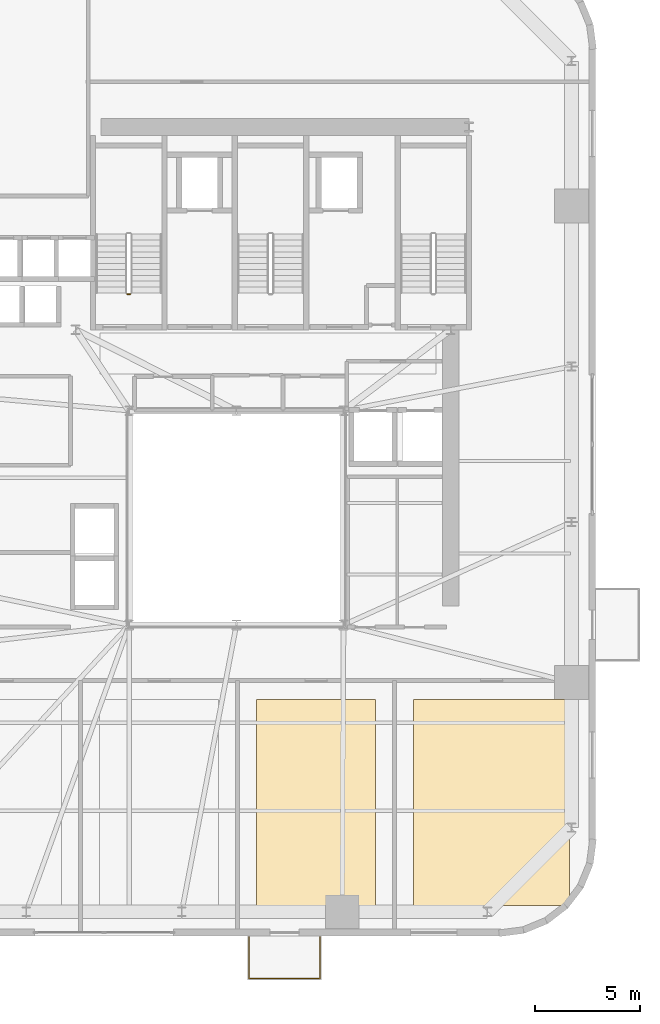
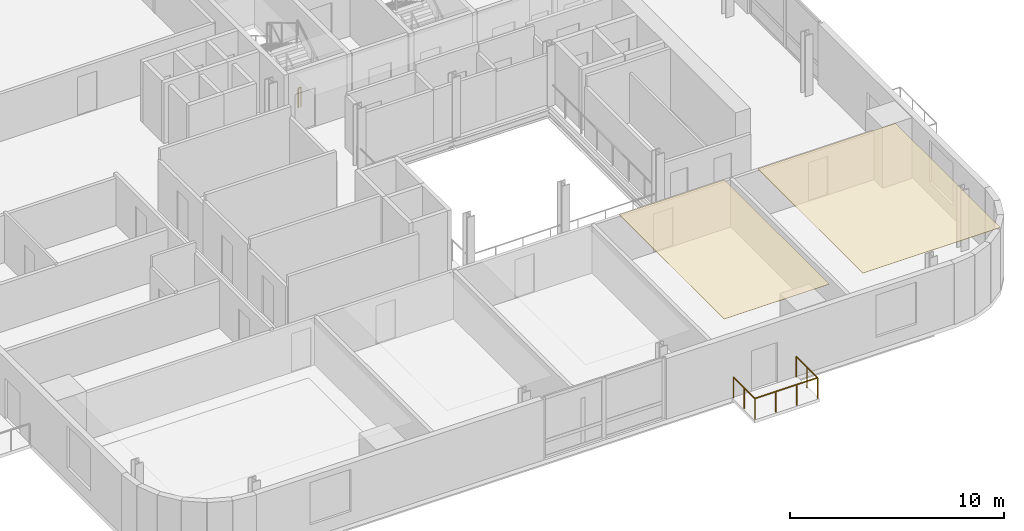
# One storey, part 11 of 13: 2 coverings, 2 railings.
"""IFC4 building model written with IfcOpenShell, lengths in metres."""

from ifc_helpers import new_model, si_unit, direction, frame, origin, origin_2d, place, context, subcontext, project, spatial, polyline, rectangle, outline, extrude, source, transform, mapped, material, layer, layer_set, type_object, element, save


model = new_model("IFC4")

# Units and contexts
model_context = context("Model", 3, precision=1e-05, world=origin(), true_north=direction((0.0, 1.0)))
body_context = subcontext(model_context, "Body", "Model", "MODEL_VIEW")
ifc_project = project(units=[si_unit("LENGTHUNIT", "METRE"), si_unit("AREAUNIT", "SQUARE_METRE"), si_unit("VOLUMEUNIT", "CUBIC_METRE"), si_unit("PLANEANGLEUNIT", "RADIAN"), si_unit("MASSUNIT", "GRAM", prefix="KILO")], contexts=[model_context])

# Site, building, storey
site_placement = place(None, origin())
site = spatial("IfcSite", under=ifc_project, at=site_placement, CompositionType="ELEMENT")
building_placement = place(site_placement, origin())
building = spatial("IfcBuilding", under=site, at=building_placement, Name="Vardaveli Station Tower", CompositionType="ELEMENT")
storey_placement = place(building_placement, frame((0.0, 0.0, 115.0)))
storey = spatial("IfcBuildingStorey", under=building, at=storey_placement, Name="L29", CompositionType="ELEMENT", Elevation=115.0)

# Coverings
ifc_material_1 = material(Name="Perforated acoustic mineral ceiling")
ifc_layer = layer(ifc_material_1, 0.02001953125, Name="Perforated acoustic mineral ceiling")
ifc_layer_set = layer_set([ifc_layer], Name="Perforated acoustic mineral ceiling")
covering_type = type_object("IfcCoveringType", Name="COV-CEIL-AC20", PredefinedType="CEILING", material=ifc_layer_set)
covering_1_placement = place(storey_placement, frame((0.0, 0.0, 3.445068359375)))
element("IfcCovering", 1, at=covering_1_placement, inside=storey, type_object=covering_type, Name="CEIL-L29-4", PredefinedType="CEILING", context=body_context, shape_type="SweptSolid", body=[
    extrude(outline(polyline([(37.256591796875, 3.25), (42.929931640625, 3.25), (42.929931640625, 13.050048828125), (37.256591796875, 13.050048828125), (37.256591796875, 3.25)])), origin(), (0.0, 0.0, 1.0), 0.02001953125),
])
covering_2_placement = place(storey_placement, frame((0.0, 0.0, 3.445068359375)))
element("IfcCovering", 2, at=covering_2_placement, inside=storey, type_object=covering_type, Name="CEIL-L29-5", PredefinedType="CEILING", context=body_context, shape_type="SweptSolid", body=[
    extrude(outline(polyline([(44.72998046875, 3.25), (52.14990234375, 3.25), (52.14990234375, 13.050048828125), (44.72998046875, 13.050048828125), (44.72998046875, 3.25)])), origin(), (0.0, 0.0, 1.0), 0.02001953125),
])

# Railings
ifc_material_2 = material(Name="Laminated glass and stainless steel balustrade", Category="steel")
railing_type_1 = type_object("IfcRailingType", Name="RL-BAL-1200", PredefinedType="BALUSTRADE", material=ifc_material_2)
shared_shape_1 = source(origin(), body_context, "Body", "SweptSolid", [
    extrude(rectangle(XDim=0.048095703125, YDim=0.048095703125, at=origin_2d()), frame((0.0, 0.0, 1.17578125), z_axis=(0.0, -1.0, 0.0), x_axis=(1.0, 0.0, 0.0)), (0.0, 0.0, 1.0), 2.0),
    extrude(rectangle(XDim=0.048095703125, YDim=0.048095703125, at=origin_2d()), frame((0.0, -2.0, 1.17578125), z_axis=(1.0, 0.0, 0.0), x_axis=(0.0, 1.0, 0.0)), (0.0, 0.0, 1.0), 3.3798828125),
    extrude(rectangle(XDim=0.048095703125, YDim=0.048095703125, at=origin_2d()), frame((3.3798828125, -2.0, 1.17578125), z_axis=(0.0, 1.0, 0.0), x_axis=(-1.0, 0.0, 0.0)), (0.0, 0.0, 1.0), 2.0),
    extrude(rectangle(XDim=0.0419921875, YDim=0.0419921875, at=origin_2d()), origin(), (0.0, 0.0, 1.0), 1.15185546875),
    extrude(rectangle(XDim=0.0419921875, YDim=0.0419921875, at=origin_2d()), frame((0.0, -1.0, 0.0)), (0.0, 0.0, 1.0), 1.15185546875),
    extrude(rectangle(XDim=0.0419921875, YDim=0.0419921875, at=origin_2d()), frame((0.0, -2.0, 0.0)), (0.0, 0.0, 1.0), 1.15185546875),
    extrude(rectangle(XDim=0.0419921875, YDim=0.0419921875, at=origin_2d()), frame((1.126708984375, -2.0, 0.0)), (0.0, 0.0, 1.0), 1.15185546875),
    extrude(rectangle(XDim=0.0419921875, YDim=0.0419921875, at=origin_2d()), frame((2.253173828125, -2.0, 0.0)), (0.0, 0.0, 1.0), 1.15185546875),
    extrude(rectangle(XDim=0.0419921875, YDim=0.0419921875, at=origin_2d()), frame((3.3798828125, -2.0, 0.0)), (0.0, 0.0, 1.0), 1.15185546875),
    extrude(rectangle(XDim=0.0419921875, YDim=0.0419921875, at=origin_2d()), frame((3.3798828125, -1.0, 0.0)), (0.0, 0.0, 1.0), 1.15185546875),
    extrude(rectangle(XDim=0.0419921875, YDim=0.0419921875, at=origin_2d()), frame((3.3798828125, 0.0, 0.0)), (0.0, 0.0, 1.0), 1.15185546875),
])
railing_1_placement = place(storey_placement, frame((36.899658203125, 1.760009765625, 0.0)))
element("IfcRailing", 3, at=railing_1_placement, inside=storey, type_object=railing_type_1, Name="RL-LOG-L29-01", PredefinedType="BALUSTRADE", context=body_context, shape_type="MappedRepresentation", body=[
    mapped(shared_shape_1, transform((0.0, 0.0, 0.0), scale=1.0)),
])
ifc_material_3 = material(Name="Brushed AISI 316 stainless steel", Category="steel")
railing_type_2 = type_object("IfcRailingType", Name="RL-GUARD-1150", PredefinedType="GUARDRAIL", material=ifc_material_3)
shared_shape_2 = source(origin(), body_context, "Body", "SweptSolid", [
    extrude(rectangle(XDim=0.048095703125, YDim=0.048095703125, at=origin_2d()), frame((0.0, 0.0, 1.1259765625), z_axis=(-1.0, 0.0, 0.0), x_axis=(0.0, -1.0, 0.0)), (0.0, 0.0, 1.0), 0.14990234375),
    extrude(rectangle(XDim=0.0419921875, YDim=0.0419921875, at=origin_2d()), origin(), (0.0, 0.0, 1.0), 1.101806640625),
    extrude(rectangle(XDim=0.0419921875, YDim=0.0419921875, at=origin_2d()), frame((-0.14990234375, 0.0, 0.0)), (0.0, 0.0, 1.0), 1.101806640625),
])
railing_2_placement = place(storey_placement, frame((31.25, 32.35009765625, 0.0)))
element("IfcRailing", 4, at=railing_2_placement, inside=storey, type_object=railing_type_2, Name="L29 ST-1 stair guard 4", PredefinedType="GUARDRAIL", context=body_context, shape_type="MappedRepresentation", body=[
    mapped(shared_shape_2, transform((0.0, 0.0, 0.0), scale=1.0)),
])

save(model, "model.ifc")
